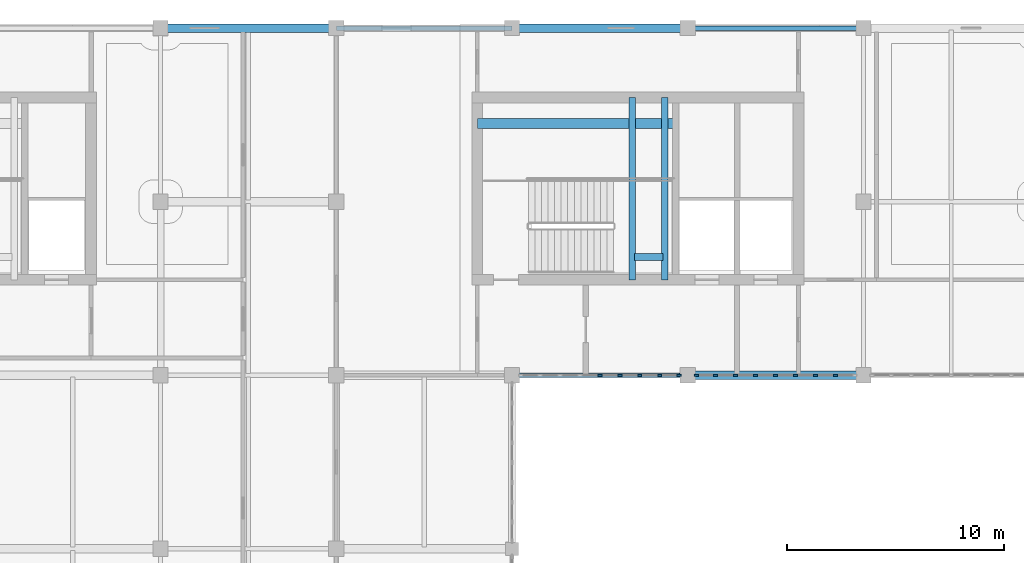
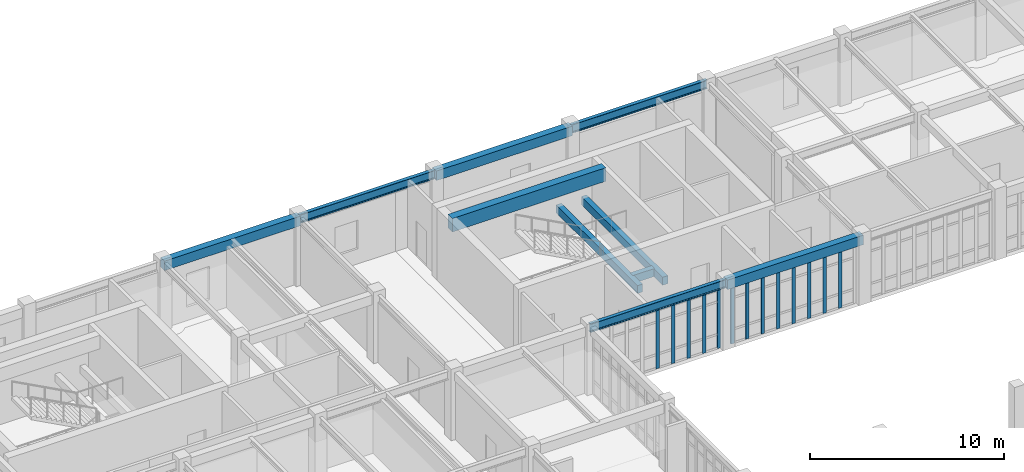
# One storey, part 14 of 67: 13 members, 10 beams, 2 elements without a shape of their own.
"""IFC4 building model written with IfcOpenShell, lengths in metres."""

from ifc_helpers import new_model, si_unit, direction, frame, origin, origin_2d, place, context, subcontext, project, spatial, rectangle, i_section, extrude, material, material_profile, profile_set, type_object, element, aggregate, save


model = new_model("IFC4")

# Units and contexts
model_context = context("Model", 3, precision=1e-05, world=origin(), true_north=direction((0.0, 1.0)))
body_context = subcontext(model_context, "Body", "Model", "MODEL_VIEW")
ifc_project = project(units=[si_unit("LENGTHUNIT", "METRE"), si_unit("AREAUNIT", "SQUARE_METRE"), si_unit("VOLUMEUNIT", "CUBIC_METRE"), si_unit("PLANEANGLEUNIT", "RADIAN"), si_unit("MASSUNIT", "GRAM", prefix="KILO")], contexts=[model_context])

# Site, building, storey
site_placement = place(None, origin())
site = spatial("IfcSite", under=ifc_project, at=site_placement, CompositionType="ELEMENT")
building_placement = place(site_placement, origin())
building = spatial("IfcBuilding", under=site, at=building_placement, Name="Tarnveldt Square Police Headquarters", CompositionType="ELEMENT")
storey_placement = place(building_placement, frame((0.0, 0.0, 10.199951171875)))
storey = spatial("IfcBuildingStorey", under=building, at=storey_placement, Name="L02", CompositionType="ELEMENT", Elevation=10.199951171875)

# Beams
ifc_material_1 = material(Name="Concrete 50 MPa", Category="concrete")
ifc_material_profile_1 = material_profile(ifc_material_1, rectangle(XDim=0.449951171875, YDim=0.85009765625, at=origin_2d()), Name="RC-CB450x850")
ifc_profile_set_1 = profile_set([ifc_material_profile_1], Name="Concrete 50 MPa")
beam_type_1 = type_object("IfcBeamType", Name="BM-CB450x850", PredefinedType="BEAM", material=ifc_profile_set_1)
beam_1_placement = place(storey_placement, frame((47.0, 107.60009765625, 4.074951171875), z_axis=(1.0, 0.0, 0.0), x_axis=(0.0, 1.0, 0.0)))
element("IfcBeam", 1, at=beam_1_placement, inside=storey, type_object=beam_type_1, Name="Core K3 North-Central Forensic and Firefighting Core L02 Ductile Coupling Beam", PredefinedType="BEAM", context=body_context, shape_type="SweptSolid", body=[
    extrude(rectangle(XDim=0.449951171875, YDim=0.85009765625, at=origin_2d()), origin(), (0.0, 0.0, 1.0), 9.14990234375),
])
ifc_material_2 = material(Name="Concrete 40 MPa", Category="concrete")
ifc_material_profile_2 = material_profile(ifc_material_2, rectangle(XDim=0.300048828125, YDim=0.5, at=origin_2d()), Name="RC-B300x500")
ifc_profile_set_2 = profile_set([ifc_material_profile_2], Name="Concrete 40 MPa")
beam_type_2 = type_object("IfcBeamType", Name="BM-RC300x500", PredefinedType="BEAM", material=ifc_profile_set_2)
beam_2_placement = place(storey_placement, frame((54.14990234375, 100.39990234375, 1.800048828125), z_axis=(0.0, 1.0, 0.0), x_axis=(-1.0, 0.0, 0.0)))
element("IfcBeam", 2, at=beam_2_placement, inside=storey, type_object=beam_type_2, Name="ST3 L02 Half-Landing Support Beam 1", PredefinedType="BEAM", context=body_context, shape_type="SweptSolid", body=[
    extrude(rectangle(XDim=0.300048828125, YDim=0.5, at=origin_2d()), origin(), (0.0, 0.0, 1.0), 8.400146484375),
])
beam_3_placement = place(storey_placement, frame((54.25, 101.449951171875, 1.800048828125), z_axis=(1.0, 0.0, 0.0), x_axis=(0.0, 1.0, 0.0)))
element("IfcBeam", 3, at=beam_3_placement, inside=storey, type_object=beam_type_2, Name="ST3 L02 Half-Landing Support Beam 2", PredefinedType="BEAM", context=body_context, shape_type="SweptSolid", body=[
    extrude(rectangle(XDim=0.300048828125, YDim=0.5, at=origin_2d()), origin(), (0.0, 0.0, 1.0), 1.300048828125),
])
beam_4_placement = place(storey_placement, frame((55.64990234375, 100.39990234375, 1.800048828125), z_axis=(0.0, 1.0, 0.0), x_axis=(-1.0, 0.0, 0.0)))
element("IfcBeam", 4, at=beam_4_placement, inside=storey, type_object=beam_type_2, Name="ST3 L02 Half-Landing Transverse Support Beam", PredefinedType="BEAM", context=body_context, shape_type="SweptSolid", body=[
    extrude(rectangle(XDim=0.300048828125, YDim=0.5, at=origin_2d()), origin(), (0.0, 0.0, 1.0), 8.400146484375),
])
ifc_material_profile_3 = material_profile(ifc_material_2, rectangle(XDim=0.39990234375, YDim=0.60009765625, at=origin_2d()), Name="RC-B400x600")
ifc_profile_set_3 = profile_set([ifc_material_profile_3], Name="Concrete 40 MPa")
beam_type_3 = type_object("IfcBeamType", Name="BM-RC400x600", PredefinedType="BEAM", material=ifc_profile_set_3)
for number, where, z_axis, x_axis, name in (
    (5, (56.699951171875, 96.0, 3.93994140625), (1.0, 0.0, 0.0), (0.0, 1.0, 0.0), "L03 Grid Girder X-0714"),
    (6, (32.39990234375, 112.0, 3.93994140625), (1.0, 0.0, 0.0), (0.0, 1.0, 0.0), "L03 Grid Girder X-0730"),
):
    element("IfcBeam", number, at=place(storey_placement, frame(where, z_axis=z_axis, x_axis=x_axis)), inside=storey, type_object=beam_type_3, Name=name, PredefinedType="BEAM", context=body_context, shape_type="SweptSolid", body=[
        extrude(rectangle(XDim=0.39990234375, YDim=0.60009765625, at=origin_2d()), origin(), (0.0, 0.0, 1.0), 8.10009765625),
    ])
beam_5_placement = place(storey_placement, frame((48.60009765625, 112.0, 3.93994140625), z_axis=(1.0, 0.0, 0.0), x_axis=(0.0, 1.0, 0.0)))
element("IfcBeam", 7, at=beam_5_placement, inside=storey, type_object=beam_type_3, Name="L03 Grid Girder X-0732", PredefinedType="BEAM", context=body_context, shape_type="SweptSolid", body=[
    extrude(rectangle(XDim=0.39990234375, YDim=0.60009765625, at=origin_2d()), origin(), (0.0, 0.0, 1.0), 8.099853515625),
])
ifc_material_3 = material(Name="Steel 350W", Category="steel")
ifc_material_profile_4 = material_profile(ifc_material_3, i_section(OverallWidth=0.208984375, OverallDepth=0.532958984375, WebThickness=0.01025390625, FlangeThickness=0.015625, FilletRadius=0.01904296875, at=origin_2d()), Name="W530x92")
ifc_profile_set_4 = profile_set([ifc_material_profile_4], Name="Steel 350W")
beam_type_4 = type_object("IfcBeamType", Name="BM-W530x92", PredefinedType="BEAM", material=ifc_profile_set_4)
beam_6_placement = place(storey_placement, frame((48.60009765625, 96.0, 3.9736328125), z_axis=(1.0, 0.0, 0.0), x_axis=(0.0, 1.0, 0.0)))
element("IfcBeam", 8, at=beam_6_placement, inside=storey, type_object=beam_type_4, Name="L03 Grid Girder X-0713", PredefinedType="BEAM", context=body_context, shape_type="SweptSolid", body=[
    extrude(i_section(OverallWidth=0.208984375, OverallDepth=0.532958984375, WebThickness=0.01025390625, FlangeThickness=0.015625, FilletRadius=0.01904296875, at=origin_2d()), origin(), (0.0, 0.0, 1.0), 8.099853515625),
])
for number, where, z_axis, x_axis, name in (
    (9, (40.5, 112.0, 3.9736328125), (1.0, 0.0, 0.0), (0.0, 1.0, 0.0), "L03 Grid Girder X-0731"),
    (10, (56.699951171875, 112.0, 3.9736328125), (1.0, 0.0, 0.0), (0.0, 1.0, 0.0), "L03 Grid Girder X-0733"),
):
    element("IfcBeam", number, at=place(storey_placement, frame(where, z_axis=z_axis, x_axis=x_axis)), inside=storey, type_object=beam_type_4, Name=name, PredefinedType="BEAM", context=body_context, shape_type="SweptSolid", body=[
        extrude(i_section(OverallWidth=0.208984375, OverallDepth=0.532958984375, WebThickness=0.01025390625, FlangeThickness=0.015625, FilletRadius=0.01904296875, at=origin_2d()), origin(), (0.0, 0.0, 1.0), 8.10009765625),
    ])

# Curtain wall, members
ifc_material_4 = material(Name="Triple-glazed low-e laminated vision glass", Category="glass")
curtain_wall_type_1 = type_object("IfcCurtainWallType", Name="CW-LB-737x370", PredefinedType="USERDEFINED", material=ifc_material_4)
curtain_wall_1_placement = place(storey_placement, origin())
curtain_wall_1 = element("IfcCurtainWall", 11, at=curtain_wall_1_placement, inside=storey, type_object=curtain_wall_type_1, Name="L02 Curtain Wall CW-L02-112", ObjectType="GLAZED CURTAIN WALL", PredefinedType="USERDEFINED")
ifc_material_5 = material(Name="Thermally broken anodised aluminium 6063-T6", Category="aluminium")
ifc_material_profile_5 = material_profile(ifc_material_5, rectangle(XDim=0.074951171875, YDim=0.199951171875, at=origin_2d()), Name="CW-M75x200")
ifc_profile_set_5 = profile_set([ifc_material_profile_5], Name="Thermally broken anodised aluminium 6063-T6")
member_type = type_object("IfcMemberType", Name="CWM-75x200", PredefinedType="MULLION", material=ifc_profile_set_5)
member_1_placement = place(storey_placement, frame((52.64990234375, 96.0, 0.0), z_axis=(0.0, 0.0, 1.0), x_axis=(0.0, 1.0, 0.0)))
member_1 = element("IfcMember", 12, at=member_1_placement, type_object=member_type, Name="CW-LB65 mullion 5", PredefinedType="MULLION", context=body_context, shape_type="SweptSolid", body=[
    extrude(rectangle(XDim=0.074951171875, YDim=0.199951171875, at=origin_2d()), origin(), (0.0, 0.0, 1.0), 3.698974609375),
])
member_2_placement = place(storey_placement, frame((53.5712890625, 96.0, 0.0), z_axis=(0.0, 0.0, 1.0), x_axis=(0.0, 1.0, 0.0)))
member_2 = element("IfcMember", 13, at=member_2_placement, type_object=member_type, Name="CW-LB65 mullion 6", PredefinedType="MULLION", context=body_context, shape_type="SweptSolid", body=[
    extrude(rectangle(XDim=0.074951171875, YDim=0.199951171875, at=origin_2d()), origin(), (0.0, 0.0, 1.0), 3.698974609375),
])
member_3_placement = place(storey_placement, frame((54.492431640625, 96.0, 0.0), z_axis=(0.0, 0.0, 1.0), x_axis=(0.0, 1.0, 0.0)))
member_3 = element("IfcMember", 14, at=member_3_placement, type_object=member_type, Name="CW-LB65 mullion 7", PredefinedType="MULLION", context=body_context, shape_type="SweptSolid", body=[
    extrude(rectangle(XDim=0.074951171875, YDim=0.199951171875, at=origin_2d()), origin(), (0.0, 0.0, 1.0), 3.698974609375),
])
member_4_placement = place(storey_placement, frame((55.413818359375, 96.0, 0.0), z_axis=(0.0, 0.0, 1.0), x_axis=(0.0, 1.0, 0.0)))
member_4 = element("IfcMember", 15, at=member_4_placement, type_object=member_type, Name="CW-LB65 mullion 8", PredefinedType="MULLION", context=body_context, shape_type="SweptSolid", body=[
    extrude(rectangle(XDim=0.074951171875, YDim=0.199951171875, at=origin_2d()), origin(), (0.0, 0.0, 1.0), 3.698974609375),
])
member_5_placement = place(storey_placement, frame((56.297607421875, 96.0, 0.0), z_axis=(0.0, 0.0, 1.0), x_axis=(0.0, 1.0, 0.0)))
member_5 = element("IfcMember", 16, at=member_5_placement, type_object=member_type, Name="CW-LB65 mullion 9", PredefinedType="MULLION", context=body_context, shape_type="SweptSolid", body=[
    extrude(rectangle(XDim=0.074951171875, YDim=0.199951171875, at=origin_2d()), origin(), (0.0, 0.0, 1.0), 3.698974609375),
])
aggregate(curtain_wall_1, [member_1, member_2, member_3, member_4, member_5])

curtain_wall_type_2 = type_object("IfcCurtainWallType", Name="CW-LB-737x363", PredefinedType="USERDEFINED", material=ifc_material_4)
curtain_wall_2_placement = place(storey_placement, origin())
curtain_wall_2 = element("IfcCurtainWall", 17, at=curtain_wall_2_placement, inside=storey, type_object=curtain_wall_type_2, Name="L02 Curtain Wall CW-L02-113", ObjectType="GLAZED CURTAIN WALL", PredefinedType="USERDEFINED")
member_6_placement = place(storey_placement, frame((57.1025390625, 96.0, 0.0), z_axis=(0.0, 0.0, 1.0), x_axis=(0.0, 1.0, 0.0)))
member_6 = element("IfcMember", 18, at=member_6_placement, type_object=member_type, Name="CW-LB66 mullion 1", PredefinedType="MULLION", context=body_context, shape_type="SweptSolid", body=[
    extrude(rectangle(XDim=0.074951171875, YDim=0.199951171875, at=origin_2d()), origin(), (0.0, 0.0, 1.0), 3.632080078125),
])
member_7_placement = place(storey_placement, frame((57.986328125, 96.0, 0.0), z_axis=(0.0, 0.0, 1.0), x_axis=(0.0, 1.0, 0.0)))
member_7 = element("IfcMember", 19, at=member_7_placement, type_object=member_type, Name="CW-LB66 mullion 2", PredefinedType="MULLION", context=body_context, shape_type="SweptSolid", body=[
    extrude(rectangle(XDim=0.074951171875, YDim=0.199951171875, at=origin_2d()), origin(), (0.0, 0.0, 1.0), 3.632080078125),
])
member_8_placement = place(storey_placement, frame((58.907470703125, 96.0, 0.0), z_axis=(0.0, 0.0, 1.0), x_axis=(0.0, 1.0, 0.0)))
member_8 = element("IfcMember", 20, at=member_8_placement, type_object=member_type, Name="CW-LB66 mullion 3", PredefinedType="MULLION", context=body_context, shape_type="SweptSolid", body=[
    extrude(rectangle(XDim=0.074951171875, YDim=0.199951171875, at=origin_2d()), origin(), (0.0, 0.0, 1.0), 3.632080078125),
])
member_9_placement = place(storey_placement, frame((59.828857421875, 96.0, 0.0), z_axis=(0.0, 0.0, 1.0), x_axis=(0.0, 1.0, 0.0)))
member_9 = element("IfcMember", 21, at=member_9_placement, type_object=member_type, Name="CW-LB66 mullion 4", PredefinedType="MULLION", context=body_context, shape_type="SweptSolid", body=[
    extrude(rectangle(XDim=0.074951171875, YDim=0.199951171875, at=origin_2d()), origin(), (0.0, 0.0, 1.0), 3.632080078125),
])
member_10_placement = place(storey_placement, frame((60.75, 96.0, 0.0), z_axis=(0.0, 0.0, 1.0), x_axis=(0.0, 1.0, 0.0)))
member_10 = element("IfcMember", 22, at=member_10_placement, type_object=member_type, Name="CW-LB66 mullion 5", PredefinedType="MULLION", context=body_context, shape_type="SweptSolid", body=[
    extrude(rectangle(XDim=0.074951171875, YDim=0.199951171875, at=origin_2d()), origin(), (0.0, 0.0, 1.0), 3.632080078125),
])
member_11_placement = place(storey_placement, frame((61.671142578125, 96.0, 0.0), z_axis=(0.0, 0.0, 1.0), x_axis=(0.0, 1.0, 0.0)))
member_11 = element("IfcMember", 23, at=member_11_placement, type_object=member_type, Name="CW-LB66 mullion 6", PredefinedType="MULLION", context=body_context, shape_type="SweptSolid", body=[
    extrude(rectangle(XDim=0.074951171875, YDim=0.199951171875, at=origin_2d()), origin(), (0.0, 0.0, 1.0), 3.632080078125),
])
member_12_placement = place(storey_placement, frame((62.592529296875, 96.0, 0.0), z_axis=(0.0, 0.0, 1.0), x_axis=(0.0, 1.0, 0.0)))
member_12 = element("IfcMember", 24, at=member_12_placement, type_object=member_type, Name="CW-LB66 mullion 7", PredefinedType="MULLION", context=body_context, shape_type="SweptSolid", body=[
    extrude(rectangle(XDim=0.074951171875, YDim=0.199951171875, at=origin_2d()), origin(), (0.0, 0.0, 1.0), 3.632080078125),
])
member_13_placement = place(storey_placement, frame((63.513671875, 96.0, 0.0), z_axis=(0.0, 0.0, 1.0), x_axis=(0.0, 1.0, 0.0)))
member_13 = element("IfcMember", 25, at=member_13_placement, type_object=member_type, Name="CW-LB66 mullion 8", PredefinedType="MULLION", context=body_context, shape_type="SweptSolid", body=[
    extrude(rectangle(XDim=0.074951171875, YDim=0.199951171875, at=origin_2d()), origin(), (0.0, 0.0, 1.0), 3.632080078125),
])
aggregate(curtain_wall_2, [member_6, member_7, member_8, member_9, member_10, member_11, member_12, member_13])

save(model, "model.ifc")
